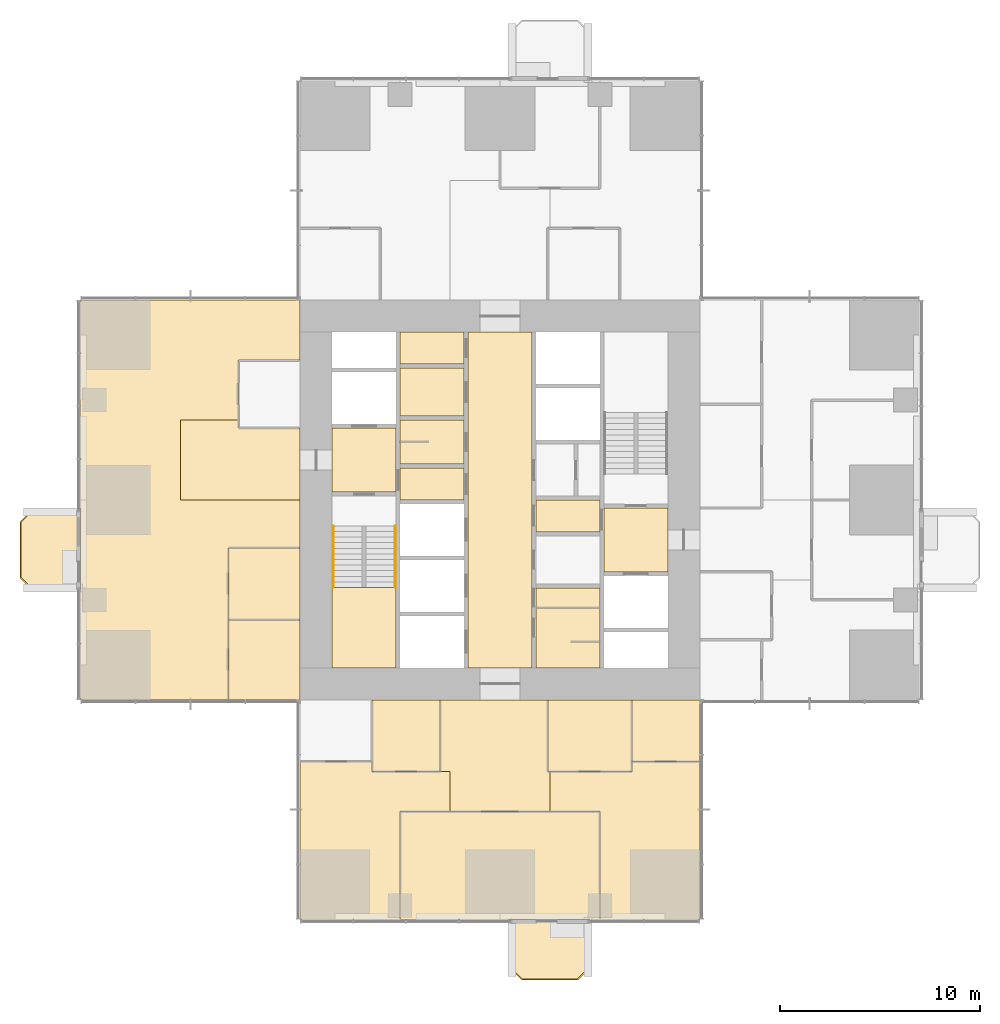
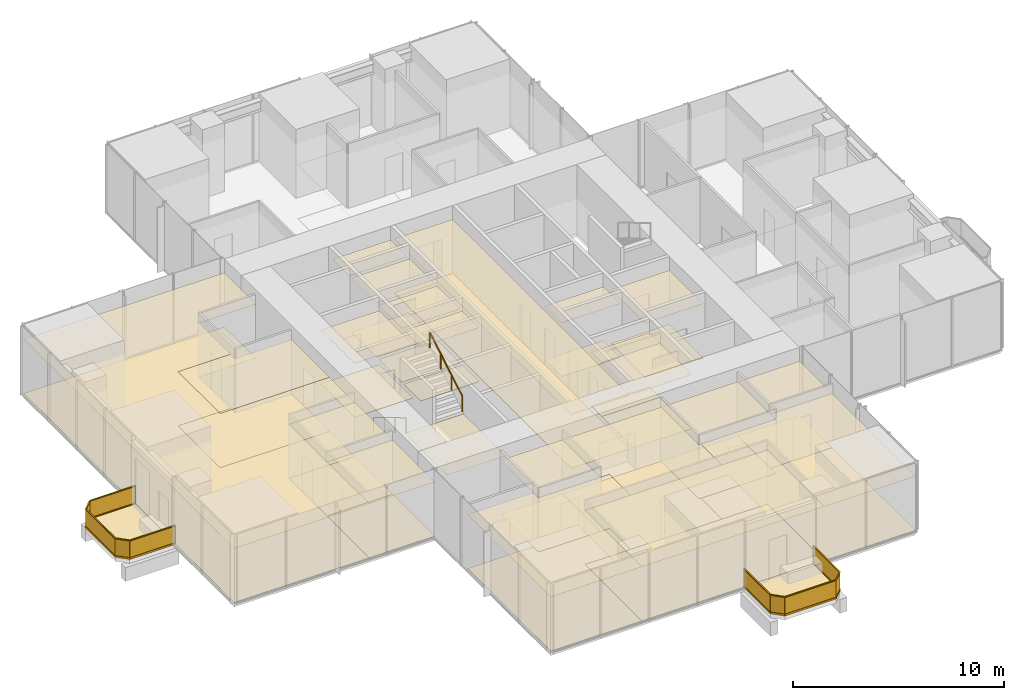
# One storey, part 11 of 13: 44 coverings, 4 railings.
"""IFC4 building model written with IfcOpenShell, lengths in metres."""

import ifcopenshell
import ifcopenshell.guid

model = None  # the IFC model being written
_history = None  # IfcOwnerHistory: only IFC2X3 demands one
_inside = {}  # id of a spatial element -> (the spatial element, [elements in it])
_under = {}  # id of a project, library or spatial element -> (it, [spatial elements below it])
_declared = {}  # id of a project -> (the project, [libraries it declares])
_typed = {}  # id of a type object -> (the type object, [elements of that type])
_made_of = {}  # id of a material, layer set ... -> (it, [elements and type objects made of it])


def new_model(schema):
    """Start an empty IFC model of exactly this schema.

    Asked for "IFC4X3", IfcOpenShell would pick the latest addendum, in which some entities
    have other attributes; the version numbers below select the first issue.
    IFC2X3 requires an IfcOwnerHistory on every rooted entity: one is made here for all.
    """
    global model, _history
    if schema == "IFC4X3":
        model = ifcopenshell.file(schema_version=(4, 3, 0, 0))
    else:
        model = ifcopenshell.file(schema=schema)
    _inside.clear()
    _under.clear()
    _declared.clear()
    _typed.clear()
    _made_of.clear()
    _history = None
    if model.schema == "IFC2X3":
        org = make("IfcOrganization", Name="unknown")
        user = make(
            "IfcPersonAndOrganization",
            ThePerson=make("IfcPerson", FamilyName="unknown"),
            TheOrganization=org,
        )
        app = make(
            "IfcApplication",
            ApplicationDeveloper=org,
            Version="unknown",
            ApplicationFullName="unknown",
            ApplicationIdentifier="unknown",
        )
        _history = make(
            "IfcOwnerHistory",
            OwningUser=user,
            OwningApplication=app,
            ChangeAction="ADDED",
            CreationDate=0,
        )
    return model


def make(cls, **values):
    """One entity of the class cls with the attributes given. An attribute that is None is left unset."""
    return model.create_entity(
        cls, **{name: value for name, value in values.items() if value is not None}
    )


def rooted(cls, **values):
    """An entity with a GlobalId (a new one), such as an element, a storey or a relation."""
    return make(cls, GlobalId=ifcopenshell.guid.new(), OwnerHistory=_history, **values)


def si_unit(unit_type, name, prefix=None):
    """IfcSIUnit, for example si_unit("LENGTHUNIT", "METRE", prefix="MILLI")."""
    return make("IfcSIUnit", UnitType=unit_type, Prefix=prefix, Name=name)


def assignment(units):
    """IfcUnitAssignment: the units of a project."""
    return None if units is None else make("IfcUnitAssignment", Units=units)


def point(xyz):
    """IfcCartesianPoint."""
    return None if xyz is None else make("IfcCartesianPoint", Coordinates=xyz)


def direction(xyz):
    """IfcDirection."""
    return None if xyz is None else make("IfcDirection", DirectionRatios=xyz)


def frame(location, z_axis=None, x_axis=None):
    """IfcAxis2Placement3D, a coordinate frame: its origin and axes. An axis left out is left unset."""
    return make(
        "IfcAxis2Placement3D",
        Location=point(location),
        Axis=direction(z_axis),
        RefDirection=direction(x_axis),
    )


def frame_2d(location, x_axis=None):
    """IfcAxis2Placement2D, a coordinate frame in the plane: its origin and x axis."""
    return make(
        "IfcAxis2Placement2D", Location=point(location), RefDirection=direction(x_axis)
    )


def origin():
    """The frame at (0, 0, 0) with its axes left unset."""
    return frame((0.0, 0.0, 0.0))


def origin_2d():
    """The frame at (0, 0) in the plane with its x axis left unset."""
    return frame_2d((0.0, 0.0))


def place(relative_to, where):
    """IfcLocalPlacement: puts the frame where relative to a parent placement (None: the world)."""
    return make(
        "IfcLocalPlacement", PlacementRelTo=relative_to, RelativePlacement=where
    )


def context(
    kind, dimensions, precision=None, world=None, true_north=None, identifier=None
):
    """IfcGeometricRepresentationContext, for example the 3D "Model" context."""
    return make(
        "IfcGeometricRepresentationContext",
        ContextIdentifier=identifier,
        ContextType=kind,
        CoordinateSpaceDimension=dimensions,
        Precision=precision,
        WorldCoordinateSystem=world,
        TrueNorth=true_north,
    )


def subcontext(parent, identifier, kind, view, scale=None):
    """IfcGeometricRepresentationSubContext, for example "Body" below "Model"."""
    return make(
        "IfcGeometricRepresentationSubContext",
        ContextIdentifier=identifier,
        ContextType=kind,
        ParentContext=parent,
        TargetScale=scale,
        TargetView=view,
    )


def project(units=None, contexts=None):
    """IfcProject with its units and contexts."""
    return rooted(
        "IfcProject",
        Name="project",
        RepresentationContexts=contexts,
        UnitsInContext=assignment(units),
    )


def spatial(cls, under=None, at=None, **own):
    """A site, building, storey or space (cls), placed at a placement, below another one or the project."""
    s = rooted(cls, ObjectPlacement=at, **own)
    if under is not None:
        _under.setdefault(under.id(), (under, []))[1].append(s)
    return s


def polyline(points):
    """IfcPolyline through the points."""
    return make("IfcPolyline", Points=[point(p) for p in points])


def profile(cls, at=None, kind="AREA", **sizes):
    """A parametric profile (cls). Its sizes go by their IFC names, for example OverallWidth=200.0."""
    return make(cls, ProfileType=kind, Position=at, **sizes)


def rectangle(**sizes):
    """IfcRectangleProfileDef."""
    return profile("IfcRectangleProfileDef", **sizes)


def circle(**sizes):
    """IfcCircleProfileDef."""
    return profile("IfcCircleProfileDef", **sizes)


def outline(outer, holes=None, kind="AREA"):
    """IfcArbitraryClosedProfileDef: a profile drawn as a closed curve; with holes, ...WithVoids."""
    if holes is None:
        return make("IfcArbitraryClosedProfileDef", ProfileType=kind, OuterCurve=outer)
    return make(
        "IfcArbitraryProfileDefWithVoids",
        ProfileType=kind,
        OuterCurve=outer,
        InnerCurves=holes,
    )


def extrude(swept, where, along, depth):
    """IfcExtrudedAreaSolid: the profile swept, set in the frame where, extruded along a direction by depth."""
    return make(
        "IfcExtrudedAreaSolid",
        SweptArea=swept,
        Position=where,
        ExtrudedDirection=direction(along),
        Depth=depth,
    )


def shape(context_of_items, identifier, shape_type, items):
    """IfcShapeRepresentation: the items that make up one representation, for example the "Body"."""
    return make(
        "IfcShapeRepresentation",
        ContextOfItems=context_of_items,
        RepresentationIdentifier=identifier,
        RepresentationType=shape_type,
        Items=items,
    )


def material(Name=None, Category=None):
    """IfcMaterial."""
    return make("IfcMaterial", Name=Name, Category=Category)


def layer(
    of_material, thickness, ventilated=None, Name=None, Category=None, Priority=None
):
    """IfcMaterialLayer: one layer of a wall or slab, of a material (None: an air gap)."""
    return make(
        "IfcMaterialLayer",
        Material=of_material,
        LayerThickness=thickness,
        IsVentilated=ventilated,
        Name=Name,
        Category=Category,
        Priority=Priority,
    )


def layer_set(layers, Name=None):
    """IfcMaterialLayerSet."""
    return make("IfcMaterialLayerSet", MaterialLayers=layers, LayerSetName=Name)


def made_of(thing, what):
    """Note that an element or type object is made of a material, layer set ...; save() writes the relation."""
    if what is not None:
        _made_of.setdefault(what.id(), (what, []))[1].append(thing)
    return thing


def type_object(cls, material=None, **own):
    """A type object (cls), such as IfcWallType, which elements share."""
    return made_of(rooted(cls, **own), material)


def element(
    cls,
    number,
    at=None,
    inside=None,
    cuts=None,
    type_object=None,
    material=None,
    context=None,
    identifier="Body",
    shape_type=None,
    held_by="IfcProductDefinitionShape",
    body=None,
    shapes=None,
    **own,
):
    """One element of the class cls, such as IfcWall. Its Tag is "e" and its number.

    at: its placement. inside: the storey or other place that contains it. cuts: it is an
    opening in that element (IfcRelVoidsElement). A single representation is given by context,
    identifier, shape_type and body (its items); several are given by shapes. held_by: the class
    of the entity that holds the representations. save() writes the other relations.
    """
    e = rooted(cls, Tag="e%d" % number, ObjectPlacement=at, **own)
    if body is not None:
        shapes = [shape(context, identifier, shape_type, body)]
    if shapes is not None:
        e.Representation = make(held_by, Representations=shapes)
    if inside is not None:
        _inside.setdefault(inside.id(), (inside, []))[1].append(e)
    if cuts is not None:
        rooted(
            "IfcRelVoidsElement", RelatingBuildingElement=cuts, RelatedOpeningElement=e
        )
    if type_object is not None:
        _typed.setdefault(type_object.id(), (type_object, []))[1].append(e)
    return made_of(e, material)


def aggregate(whole, parts):
    """IfcRelAggregates: a whole, such as a stair, and the parts it consists of."""
    return rooted("IfcRelAggregates", RelatingObject=whole, RelatedObjects=parts)


def save(model, path):
    """Write the relations noted so far, then the file.

    IfcRelAggregates (storeys below a building ...), IfcRelContainedInSpatialStructure (elements
    in a storey), IfcRelDefinesByType, IfcRelAssociatesMaterial and IfcRelDeclares: one each for
    every whole, place, type object, material and project.
    """
    for whole, parts in _under.values():
        aggregate(whole, parts)
    for where, things in _inside.values():
        rooted(
            "IfcRelContainedInSpatialStructure",
            RelatedElements=things,
            RelatingStructure=where,
        )
    for kind, things in _typed.values():
        rooted("IfcRelDefinesByType", RelatedObjects=things, RelatingType=kind)
    for what, things in _made_of.values():
        rooted("IfcRelAssociatesMaterial", RelatedObjects=things, RelatingMaterial=what)
    for by, libraries in _declared.values():
        rooted("IfcRelDeclares", RelatingContext=by, RelatedDefinitions=libraries)
    model.write(path)


model = new_model("IFC4")

# Units and contexts
model_context = context("Model", 3, precision=1e-05, world=origin(), true_north=direction((0.0, 1.0)))
body_context = subcontext(model_context, "Body", "Model", "MODEL_VIEW")
ifc_project = project(units=[si_unit("LENGTHUNIT", "METRE"), si_unit("AREAUNIT", "SQUARE_METRE"), si_unit("VOLUMEUNIT", "CUBIC_METRE"), si_unit("PLANEANGLEUNIT", "RADIAN"), si_unit("MASSUNIT", "GRAM", prefix="KILO")], contexts=[model_context])

# Site, building, storey
site_placement = place(None, origin())
site = spatial("IfcSite", under=ifc_project, at=site_placement, CompositionType="ELEMENT")
building_placement = place(site_placement, origin())
building = spatial("IfcBuilding", under=site, at=building_placement, Name="Svetlomir Tower", CompositionType="ELEMENT")
storey_placement = place(building_placement, frame((0.0, 0.0, 96.5)))
storey = spatial("IfcBuildingStorey", under=building, at=storey_placement, Name="L22", CompositionType="ELEMENT", Elevation=96.5)

# Railings
ifc_material_1 = material(Name="Bronze anodised aluminium and laminated glass", Category="aluminium")
railing_type_1 = type_object("IfcRailingType", Name="BALCONY GUARD GR1 1100", PredefinedType="GUARDRAIL", material=ifc_material_1)
railing_1_placement = place(storey_placement, frame((21.60009765625, 0.0, 0.0)))
element("IfcRailing", 1, at=railing_1_placement, inside=storey, type_object=railing_type_1, Name="Balcony guard S L22", PredefinedType="GUARDRAIL", context=body_context, shape_type="SweptSolid", body=[
    extrude(rectangle(XDim=0.06005859375, YDim=0.10009765625, at=origin_2d()), frame((0.0, 0.0, 0.050048828125), z_axis=(0.0, -1.0, 0.0), x_axis=(1.0, 0.0, 0.0)), (0.0, 0.0, 1.0), 2.5),
    extrude(rectangle(XDim=0.021484375, YDim=0.960205078125, at=origin_2d()), frame((0.0, 0.0, 0.580078125), z_axis=(0.0, -1.0, 0.0), x_axis=(1.0, 0.0, 0.0)), (0.0, 0.0, 1.0), 2.5),
    extrude(rectangle(XDim=0.06005859375, YDim=0.0400390625, at=origin_2d()), frame((0.0, 0.0, 1.080078125), z_axis=(0.0, -1.0, 0.0), x_axis=(1.0, 0.0, 0.0)), (0.0, 0.0, 1.0), 2.5),
    extrude(rectangle(XDim=0.06005859375, YDim=0.10009765625, at=origin_2d()), frame((0.0, -2.5, 0.050048828125), z_axis=(0.707106781187, -0.707106781187, 0.0), x_axis=(0.707106781187, 0.707106781187, 0.0)), (0.0, 0.0, 1.0), 0.70703125),
    extrude(rectangle(XDim=0.021484375, YDim=0.960205078125, at=origin_2d()), frame((0.0, -2.5, 0.580078125), z_axis=(0.707106781187, -0.707106781187, 0.0), x_axis=(0.707106781187, 0.707106781187, 0.0)), (0.0, 0.0, 1.0), 0.70703125),
    extrude(rectangle(XDim=0.06005859375, YDim=0.0400390625, at=origin_2d()), frame((0.0, -2.5, 1.080078125), z_axis=(0.707106781187, -0.707106781187, 0.0), x_axis=(0.707106781187, 0.707106781187, 0.0)), (0.0, 0.0, 1.0), 0.70703125),
    extrude(rectangle(XDim=0.06005859375, YDim=0.10009765625, at=origin_2d()), frame((0.5, -3.0, 0.050048828125), z_axis=(1.0, 0.0, 0.0), x_axis=(0.0, 1.0, 0.0)), (0.0, 0.0, 1.0), 2.7998046875),
    extrude(rectangle(XDim=0.021484375, YDim=0.960205078125, at=origin_2d()), frame((0.5, -3.0, 0.580078125), z_axis=(1.0, 0.0, 0.0), x_axis=(0.0, 1.0, 0.0)), (0.0, 0.0, 1.0), 2.7998046875),
    extrude(rectangle(XDim=0.06005859375, YDim=0.0400390625, at=origin_2d()), frame((0.5, -3.0, 1.080078125), z_axis=(1.0, 0.0, 0.0), x_axis=(0.0, 1.0, 0.0)), (0.0, 0.0, 1.0), 2.7998046875),
    extrude(rectangle(XDim=0.06005859375, YDim=0.10009765625, at=origin_2d()), frame((3.2998046875, -3.0, 0.050048828125), z_axis=(0.707106781187, 0.707106781187, 0.0), x_axis=(-0.707106781187, 0.707106781187, 0.0)), (0.0, 0.0, 1.0), 0.70703125),
    extrude(rectangle(XDim=0.021484375, YDim=0.960205078125, at=origin_2d()), frame((3.2998046875, -3.0, 0.580078125), z_axis=(0.707106781187, 0.707106781187, 0.0), x_axis=(-0.707106781187, 0.707106781187, 0.0)), (0.0, 0.0, 1.0), 0.70703125),
    extrude(rectangle(XDim=0.06005859375, YDim=0.0400390625, at=origin_2d()), frame((3.2998046875, -3.0, 1.080078125), z_axis=(0.707106781187, 0.707106781187, 0.0), x_axis=(-0.707106781187, 0.707106781187, 0.0)), (0.0, 0.0, 1.0), 0.70703125),
    extrude(rectangle(XDim=0.06005859375, YDim=0.10009765625, at=origin_2d()), frame((3.7998046875, -2.5, 0.050048828125), z_axis=(0.0, 1.0, 0.0), x_axis=(-1.0, 0.0, 0.0)), (0.0, 0.0, 1.0), 2.5),
    extrude(rectangle(XDim=0.021484375, YDim=0.960205078125, at=origin_2d()), frame((3.7998046875, -2.5, 0.580078125), z_axis=(0.0, 1.0, 0.0), x_axis=(-1.0, 0.0, 0.0)), (0.0, 0.0, 1.0), 2.5),
    extrude(rectangle(XDim=0.06005859375, YDim=0.0400390625, at=origin_2d()), frame((3.7998046875, -2.5, 1.080078125), z_axis=(0.0, 1.0, 0.0), x_axis=(-1.0, 0.0, 0.0)), (0.0, 0.0, 1.0), 2.5),
])
railing_2_placement = place(storey_placement, frame((0.0, 20.39990234375, 0.0)))
element("IfcRailing", 2, at=railing_2_placement, inside=storey, type_object=railing_type_1, Name="Balcony guard W L22", PredefinedType="GUARDRAIL", context=body_context, shape_type="SweptSolid", body=[
    extrude(rectangle(XDim=0.06005859375, YDim=0.10009765625, at=origin_2d()), frame((0.0, 0.0, 0.050048828125), z_axis=(-1.0, 0.0, 0.0), x_axis=(0.0, -1.0, 0.0)), (0.0, 0.0, 1.0), 2.5),
    extrude(rectangle(XDim=0.021484375, YDim=0.960205078125, at=origin_2d()), frame((0.0, 0.0, 0.580078125), z_axis=(-1.0, 0.0, 0.0), x_axis=(0.0, -1.0, 0.0)), (0.0, 0.0, 1.0), 2.5),
    extrude(rectangle(XDim=0.06005859375, YDim=0.0400390625, at=origin_2d()), frame((0.0, 0.0, 1.080078125), z_axis=(-1.0, 0.0, 0.0), x_axis=(0.0, -1.0, 0.0)), (0.0, 0.0, 1.0), 2.5),
    extrude(rectangle(XDim=0.06005859375, YDim=0.10009765625, at=origin_2d()), frame((-2.5, 0.0, 0.050048828125), z_axis=(-0.707106781187, -0.707106781187, 0.0), x_axis=(0.707106781187, -0.707106781187, 0.0)), (0.0, 0.0, 1.0), 0.70703125),
    extrude(rectangle(XDim=0.021484375, YDim=0.960205078125, at=origin_2d()), frame((-2.5, 0.0, 0.580078125), z_axis=(-0.707106781187, -0.707106781187, 0.0), x_axis=(0.707106781187, -0.707106781187, 0.0)), (0.0, 0.0, 1.0), 0.70703125),
    extrude(rectangle(XDim=0.06005859375, YDim=0.0400390625, at=origin_2d()), frame((-2.5, 0.0, 1.080078125), z_axis=(-0.707106781187, -0.707106781187, 0.0), x_axis=(0.707106781187, -0.707106781187, 0.0)), (0.0, 0.0, 1.0), 0.70703125),
    extrude(rectangle(XDim=0.06005859375, YDim=0.10009765625, at=origin_2d()), frame((-3.0, -0.5, 0.050048828125), z_axis=(0.0, -1.0, 0.0), x_axis=(1.0, 0.0, 0.0)), (0.0, 0.0, 1.0), 2.7998046875),
    extrude(rectangle(XDim=0.021484375, YDim=0.960205078125, at=origin_2d()), frame((-3.0, -0.5, 0.580078125), z_axis=(0.0, -1.0, 0.0), x_axis=(1.0, 0.0, 0.0)), (0.0, 0.0, 1.0), 2.7998046875),
    extrude(rectangle(XDim=0.06005859375, YDim=0.0400390625, at=origin_2d()), frame((-3.0, -0.5, 1.080078125), z_axis=(0.0, -1.0, 0.0), x_axis=(1.0, 0.0, 0.0)), (0.0, 0.0, 1.0), 2.7998046875),
    extrude(rectangle(XDim=0.06005859375, YDim=0.10009765625, at=origin_2d()), frame((-3.0, -3.2998046875, 0.050048828125), z_axis=(0.707106781187, -0.707106781187, 0.0), x_axis=(0.707106781187, 0.707106781187, 0.0)), (0.0, 0.0, 1.0), 0.70703125),
    extrude(rectangle(XDim=0.021484375, YDim=0.960205078125, at=origin_2d()), frame((-3.0, -3.2998046875, 0.580078125), z_axis=(0.707106781187, -0.707106781187, 0.0), x_axis=(0.707106781187, 0.707106781187, 0.0)), (0.0, 0.0, 1.0), 0.70703125),
    extrude(rectangle(XDim=0.06005859375, YDim=0.0400390625, at=origin_2d()), frame((-3.0, -3.2998046875, 1.080078125), z_axis=(0.707106781187, -0.707106781187, 0.0), x_axis=(0.707106781187, 0.707106781187, 0.0)), (0.0, 0.0, 1.0), 0.70703125),
    extrude(rectangle(XDim=0.06005859375, YDim=0.10009765625, at=origin_2d()), frame((-2.5, -3.7998046875, 0.050048828125), z_axis=(1.0, 0.0, 0.0), x_axis=(0.0, 1.0, 0.0)), (0.0, 0.0, 1.0), 2.5),
    extrude(rectangle(XDim=0.021484375, YDim=0.960205078125, at=origin_2d()), frame((-2.5, -3.7998046875, 0.580078125), z_axis=(1.0, 0.0, 0.0), x_axis=(0.0, 1.0, 0.0)), (0.0, 0.0, 1.0), 2.5),
    extrude(rectangle(XDim=0.06005859375, YDim=0.0400390625, at=origin_2d()), frame((-2.5, -3.7998046875, 1.080078125), z_axis=(1.0, 0.0, 0.0), x_axis=(0.0, 1.0, 0.0)), (0.0, 0.0, 1.0), 2.5),
])

# Coverings
ifc_material_2 = material(Name="Granite paving slabs on pedestals", Category="masonry")
ifc_layer_1 = layer(ifc_material_2, 0.0400390625)
ifc_layer_set_1 = layer_set([ifc_layer_1], Name="Granite paving slabs on pedestals")
covering_type_1 = type_object("IfcCoveringType", Name="BALCONY PAVING 40", PredefinedType="USERDEFINED", material=ifc_layer_set_1)
covering_1_placement = place(storey_placement, origin())
element("IfcCovering", 3, at=covering_1_placement, inside=storey, type_object=covering_type_1, Name="Balcony paving S L22", ObjectType="BALCONY PAVING", PredefinedType="USERDEFINED", context=body_context, shape_type="SweptSolid", body=[
    extrude(outline(polyline([(21.60009765625, -2.5), (22.10009765625, -3.0), (24.89990234375, -3.0), (25.39990234375, -2.5), (25.39990234375, 0.0), (21.60009765625, 0.0), (21.60009765625, -2.5)])), origin(), (0.0, 0.0, 1.0), 0.0400390625),
])
covering_2_placement = place(storey_placement, origin())
element("IfcCovering", 4, at=covering_2_placement, inside=storey, type_object=covering_type_1, Name="Balcony paving W L22", ObjectType="BALCONY PAVING", PredefinedType="USERDEFINED", context=body_context, shape_type="SweptSolid", body=[
    extrude(outline(polyline([(-2.5, 16.60009765625), (0.0, 16.60009765625), (0.0, 20.39990234375), (-2.5, 20.39990234375), (-3.0, 19.89990234375), (-3.0, 17.10009765625), (-2.5, 16.60009765625)])), origin(), (0.0, 0.0, 1.0), 0.0400390625),
])
ifc_material_3 = material(Name="Carpet tile", Category="textile")
ifc_layer_2 = layer(ifc_material_3, 0.010009765625)
ifc_layer_set_2 = layer_set([ifc_layer_2], Name="Carpet tile")
covering_type_2 = type_object("IfcCoveringType", Name="CARPET TILE FLOOR 10", PredefinedType="FLOORING", material=ifc_layer_set_2)
covering_3_placement = place(storey_placement, origin())
element("IfcCovering", 5, at=covering_3_placement, inside=storey, type_object=covering_type_2, Name="Floor finish L22-17", PredefinedType="FLOORING", context=body_context, shape_type="SweptSolid", body=[
    extrude(outline(polyline([(14.60009765625, 7.39990234375), (18.0, 7.39990234375), (18.0, 11.0), (14.60009765625, 11.0), (14.60009765625, 7.39990234375)])), origin(), (0.0, 0.0, 1.0), 0.010009765625),
])
covering_4_placement = place(storey_placement, origin())
element("IfcCovering", 6, at=covering_4_placement, inside=storey, type_object=covering_type_2, Name="Floor finish L22-18", PredefinedType="FLOORING", context=body_context, shape_type="SweptSolid", body=[
    extrude(outline(polyline([(23.39990234375, 7.39990234375), (27.60009765625, 7.39990234375), (27.60009765625, 11.0), (23.39990234375, 11.0), (23.39990234375, 7.39990234375)])), origin(), (0.0, 0.0, 1.0), 0.010009765625),
])
covering_5_placement = place(storey_placement, origin())
element("IfcCovering", 7, at=covering_5_placement, inside=storey, type_object=covering_type_2, Name="Floor finish L22-19", PredefinedType="FLOORING", context=body_context, shape_type="SweptSolid", body=[
    extrude(outline(polyline([(27.60009765625, 7.89990234375), (31.0, 7.89990234375), (31.0, 11.0), (27.60009765625, 11.0), (27.60009765625, 7.89990234375)])), origin(), (0.0, 0.0, 1.0), 0.010009765625),
])
covering_6_placement = place(storey_placement, origin())
element("IfcCovering", 8, at=covering_6_placement, inside=storey, type_object=covering_type_2, Name="Floor finish L22-20", PredefinedType="FLOORING", context=body_context, shape_type="SweptSolid", body=[
    extrude(outline(polyline([(16.0, 0.0), (26.0, 0.0), (26.0, 5.39990234375), (16.0, 5.39990234375), (16.0, 0.0)])), origin(), (0.0, 0.0, 1.0), 0.010009765625),
])
covering_7_placement = place(storey_placement, origin())
element("IfcCovering", 9, at=covering_7_placement, inside=storey, type_object=covering_type_2, Name="Floor finish L22-30", PredefinedType="FLOORING", context=body_context, shape_type="SweptSolid", body=[
    extrude(outline(polyline([(7.39990234375, 11.0), (11.0, 11.0), (11.0, 15.0), (7.39990234375, 15.0), (7.39990234375, 11.0)])), origin(), (0.0, 0.0, 1.0), 0.010009765625),
])
covering_8_placement = place(storey_placement, origin())
element("IfcCovering", 10, at=covering_8_placement, inside=storey, type_object=covering_type_2, Name="Floor finish L22-31", PredefinedType="FLOORING", context=body_context, shape_type="SweptSolid", body=[
    extrude(outline(polyline([(7.39990234375, 15.0), (11.0, 15.0), (11.0, 18.60009765625), (7.39990234375, 18.60009765625), (7.39990234375, 15.0)])), origin(), (0.0, 0.0, 1.0), 0.010009765625),
])
covering_9_placement = place(storey_placement, origin())
element("IfcCovering", 11, at=covering_9_placement, inside=storey, type_object=covering_type_2, Name="Floor finish L22-33", PredefinedType="FLOORING", context=body_context, shape_type="SweptSolid", body=[
    extrude(outline(polyline([(23.5, 7.39990234375), (23.5, 5.39990234375), (18.5, 5.39990234375), (18.5, 7.39990234375), (18.0, 7.39990234375), (18.0, 11.0), (23.39990234375, 11.0), (23.39990234375, 7.39990234375), (23.5, 7.39990234375)])), origin(), (0.0, 0.0, 1.0), 0.010009765625),
])
covering_10_placement = place(storey_placement, origin())
element("IfcCovering", 12, at=covering_10_placement, inside=storey, type_object=covering_type_2, Name="Floor finish L22-35", PredefinedType="FLOORING", context=body_context, shape_type="SweptSolid", body=[
    extrude(outline(polyline([(5.0, 21.0), (5.0, 25.0), (7.89990234375, 25.0), (7.89990234375, 24.60009765625), (11.0, 24.60009765625), (11.0, 21.0), (5.0, 21.0)])), origin(), (0.0, 0.0, 1.0), 0.010009765625),
])
covering_11_placement = place(storey_placement, origin())
element("IfcCovering", 13, at=covering_11_placement, inside=storey, type_object=covering_type_2, Name="Floor finish L22-37", PredefinedType="FLOORING", context=body_context, shape_type="SweptSolid", body=[
    extrude(outline(polyline([(14.60009765625, 7.89990234375), (14.60009765625, 7.39990234375), (18.5, 7.39990234375), (18.5, 5.39990234375), (16.0, 5.39990234375), (16.0, 0.0), (11.0, 0.0), (11.0, 7.89990234375), (14.60009765625, 7.89990234375)])), origin(), (0.0, 0.0, 1.0), 0.010009765625),
])
covering_12_placement = place(storey_placement, origin())
element("IfcCovering", 14, at=covering_12_placement, inside=storey, type_object=covering_type_2, Name="Floor finish L22-38", PredefinedType="FLOORING", context=body_context, shape_type="SweptSolid", body=[
    extrude(outline(polyline([(27.60009765625, 7.89990234375), (31.0, 7.89990234375), (31.0, 0.0), (26.0, 0.0), (26.0, 5.39990234375), (23.5, 5.39990234375), (23.5, 7.39990234375), (27.60009765625, 7.39990234375), (27.60009765625, 7.89990234375)])), origin(), (0.0, 0.0, 1.0), 0.010009765625),
])
covering_13_placement = place(storey_placement, origin())
element("IfcCovering", 15, at=covering_13_placement, inside=storey, type_object=covering_type_2, Name="Floor finish L22-43", PredefinedType="FLOORING", context=body_context, shape_type="SweptSolid", body=[
    extrude(outline(polyline([(11.0, 31.0), (11.0, 28.0), (7.89990234375, 28.0), (7.89990234375, 25.0), (5.0, 25.0), (5.0, 21.0), (11.0, 21.0), (11.0, 18.60009765625), (7.39990234375, 18.60009765625), (7.39990234375, 11.0), (0.0, 11.0), (0.0, 31.0), (11.0, 31.0)])), origin(), (0.0, 0.0, 1.0), 0.010009765625),
])
ifc_material_4 = material(Name="Ceramic floor tile", Category="ceramic")
ifc_layer_3 = layer(ifc_material_4, 0.014892578125)
ifc_layer_set_3 = layer_set([ifc_layer_3], Name="Ceramic floor tile")
covering_type_3 = type_object("IfcCoveringType", Name="CERAMIC TILE FLOOR 15", PredefinedType="FLOORING", material=ifc_layer_set_3)
covering_14_placement = place(storey_placement, origin())
element("IfcCovering", 16, at=covering_14_placement, inside=storey, type_object=covering_type_3, Name="Floor finish L22-04", PredefinedType="FLOORING", context=body_context, shape_type="SweptSolid", body=[
    extrude(outline(polyline([(16.0, 22.800048828125), (19.199951171875, 22.800048828125), (19.199951171875, 25.0), (16.0, 25.0), (16.0, 22.800048828125)])), origin(), (0.0, 0.0, 1.0), 0.014892578125),
])
covering_15_placement = place(storey_placement, origin())
element("IfcCovering", 17, at=covering_15_placement, inside=storey, type_object=covering_type_3, Name="Floor finish L22-05", PredefinedType="FLOORING", context=body_context, shape_type="SweptSolid", body=[
    extrude(outline(polyline([(16.0, 25.199951171875), (19.199951171875, 25.199951171875), (19.199951171875, 27.60009765625), (16.0, 27.60009765625), (16.0, 25.199951171875)])), origin(), (0.0, 0.0, 1.0), 0.014892578125),
])
covering_16_placement = place(storey_placement, origin())
element("IfcCovering", 18, at=covering_16_placement, inside=storey, type_object=covering_type_3, Name="Floor finish L22-08", PredefinedType="FLOORING", context=body_context, shape_type="SweptSolid", body=[
    extrude(outline(polyline([(22.800048828125, 15.60009765625), (26.0, 15.60009765625), (26.0, 16.60009765625), (22.800048828125, 16.60009765625), (22.800048828125, 15.60009765625)])), origin(), (0.0, 0.0, 1.0), 0.014892578125),
])
covering_17_placement = place(storey_placement, origin())
element("IfcCovering", 19, at=covering_17_placement, inside=storey, type_object=covering_type_3, Name="Floor finish L22-09", PredefinedType="FLOORING", context=body_context, shape_type="SweptSolid", body=[
    extrude(outline(polyline([(22.800048828125, 12.60009765625), (26.0, 12.60009765625), (26.0, 15.60009765625), (22.800048828125, 15.60009765625), (22.800048828125, 12.60009765625)])), origin(), (0.0, 0.0, 1.0), 0.014892578125),
])

# Railings
ifc_material_5 = material(Name="Stainless steel", Category="steel")
railing_type_2 = type_object("IfcRailingType", Name="HANDRAIL HR1 900", PredefinedType="HANDRAIL", material=ifc_material_5)
railing_3_placement = place(storey_placement, frame((12.64990234375, 19.699951171875, 0.166748046875)))
element("IfcRailing", 20, at=railing_3_placement, inside=storey, type_object=railing_type_2, Name="Handrail S1 flight 1 L22", PredefinedType="HANDRAIL", context=body_context, shape_type="SweptSolid", body=[
    extrude(circle(Radius=0.02392578125, at=origin_2d()), frame((0.0, 0.0, 0.8759765625), z_axis=(0.0, -0.859290745958, 0.51148745235), x_axis=(1.0, 0.0, 0.0)), (0.0, 0.0, 1.0), 3.584228515625),
    extrude(circle(Radius=0.02099609375, at=origin_2d()), origin(), (0.0, 0.0, 1.0), 0.851806640625),
    extrude(circle(Radius=0.02099609375, at=origin_2d()), frame((0.0, -1.026611328125, 0.611083984375)), (0.0, 0.0, 1.0), 0.851806640625),
    extrude(circle(Radius=0.02099609375, at=origin_2d()), frame((0.0, -2.05322265625, 1.22216796875)), (0.0, 0.0, 1.0), 0.851806640625),
    extrude(circle(Radius=0.02099609375, at=origin_2d()), frame((0.0, -3.079833984375, 1.833251953125)), (0.0, 0.0, 1.0), 0.851806640625),
])
railing_4_placement = place(storey_placement, frame((15.75, 16.6201171875, 2.166748046875)))
element("IfcRailing", 21, at=railing_4_placement, inside=storey, type_object=railing_type_2, Name="Handrail S1 flight 2 L22", PredefinedType="HANDRAIL", context=body_context, shape_type="SweptSolid", body=[
    extrude(circle(Radius=0.02392578125, at=origin_2d()), frame((0.0, 0.0, 0.8759765625), z_axis=(0.0, 0.859290745958, 0.51148745235), x_axis=(-1.0, 0.0, 0.0)), (0.0, 0.0, 1.0), 3.584228515625),
    extrude(circle(Radius=0.02099609375, at=origin_2d()), origin(), (0.0, 0.0, 1.0), 0.851806640625),
    extrude(circle(Radius=0.02099609375, at=origin_2d()), frame((0.0, 1.026611328125, 0.611083984375)), (0.0, 0.0, 1.0), 0.851806640625),
    extrude(circle(Radius=0.02099609375, at=origin_2d()), frame((0.0, 2.05322265625, 1.22216796875)), (0.0, 0.0, 1.0), 0.851806640625),
    extrude(circle(Radius=0.02099609375, at=origin_2d()), frame((0.0, 3.079833984375, 1.833251953125)), (0.0, 0.0, 1.0), 0.851806640625),
])

# Coverings
ifc_material_6 = material(Name="Moisture resistant plasterboard ceiling", Category="gypsum")
ifc_layer_4 = layer(ifc_material_6, 0.012451171875)
ifc_layer_set_4 = layer_set([ifc_layer_4], Name="Moisture resistant plasterboard ceiling")
covering_type_4 = type_object("IfcCoveringType", Name="MOISTURE RESISTANT CEILING 12.5", PredefinedType="CEILING", material=ifc_layer_set_4)
covering_18_placement = place(storey_placement, frame((0.0, 0.0, 3.137451171875)))
element("IfcCovering", 22, at=covering_18_placement, inside=storey, type_object=covering_type_4, Name="Ceiling L22-04", PredefinedType="CEILING", context=body_context, shape_type="SweptSolid", body=[
    extrude(outline(polyline([(16.0, 22.800048828125), (19.199951171875, 22.800048828125), (19.199951171875, 25.0), (16.0, 25.0), (16.0, 22.800048828125)])), origin(), (0.0, 0.0, 1.0), 0.012451171875),
])
covering_19_placement = place(storey_placement, frame((0.0, 0.0, 3.137451171875)))
element("IfcCovering", 23, at=covering_19_placement, inside=storey, type_object=covering_type_4, Name="Ceiling L22-05", PredefinedType="CEILING", context=body_context, shape_type="SweptSolid", body=[
    extrude(outline(polyline([(16.0, 25.199951171875), (19.199951171875, 25.199951171875), (19.199951171875, 27.60009765625), (16.0, 27.60009765625), (16.0, 25.199951171875)])), origin(), (0.0, 0.0, 1.0), 0.012451171875),
])
covering_20_placement = place(storey_placement, frame((0.0, 0.0, 3.137451171875)))
element("IfcCovering", 24, at=covering_20_placement, inside=storey, type_object=covering_type_4, Name="Ceiling L22-08", PredefinedType="CEILING", context=body_context, shape_type="SweptSolid", body=[
    extrude(outline(polyline([(22.800048828125, 15.60009765625), (26.0, 15.60009765625), (26.0, 16.60009765625), (22.800048828125, 16.60009765625), (22.800048828125, 15.60009765625)])), origin(), (0.0, 0.0, 1.0), 0.012451171875),
])
covering_21_placement = place(storey_placement, frame((0.0, 0.0, 3.137451171875)))
element("IfcCovering", 25, at=covering_21_placement, inside=storey, type_object=covering_type_4, Name="Ceiling L22-09", PredefinedType="CEILING", context=body_context, shape_type="SweptSolid", body=[
    extrude(outline(polyline([(22.800048828125, 12.60009765625), (26.0, 12.60009765625), (26.0, 15.60009765625), (22.800048828125, 15.60009765625), (22.800048828125, 12.60009765625)])), origin(), (0.0, 0.0, 1.0), 0.012451171875),
])
ifc_material_7 = material(Name="Gypsum plasterboard ceiling", Category="gypsum")
ifc_layer_5 = layer(ifc_material_7, 0.014892578125)
ifc_layer_set_5 = layer_set([ifc_layer_5], Name="Gypsum plasterboard ceiling")
covering_type_5 = type_object("IfcCoveringType", Name="PLASTERBOARD CEILING 15", PredefinedType="CEILING", material=ifc_layer_set_5)
covering_22_placement = place(storey_placement, frame((0.0, 0.0, 3.135009765625)))
element("IfcCovering", 26, at=covering_22_placement, inside=storey, type_object=covering_type_5, Name="Ceiling L22-02", PredefinedType="CEILING", context=body_context, shape_type="SweptSolid", body=[
    extrude(outline(polyline([(12.60009765625, 21.39990234375), (15.800048828125, 21.39990234375), (15.800048828125, 24.60009765625), (12.60009765625, 24.60009765625), (12.60009765625, 21.39990234375)])), origin(), (0.0, 0.0, 1.0), 0.014892578125),
])
covering_23_placement = place(storey_placement, frame((0.0, 0.0, 3.135009765625)))
element("IfcCovering", 27, at=covering_23_placement, inside=storey, type_object=covering_type_5, Name="Ceiling L22-03", PredefinedType="CEILING", context=body_context, shape_type="SweptSolid", body=[
    extrude(outline(polyline([(16.0, 21.0), (19.199951171875, 21.0), (19.199951171875, 22.60009765625), (16.0, 22.60009765625), (16.0, 21.0)])), origin(), (0.0, 0.0, 1.0), 0.014892578125),
])
covering_24_placement = place(storey_placement, frame((0.0, 0.0, 3.135009765625)))
element("IfcCovering", 28, at=covering_24_placement, inside=storey, type_object=covering_type_5, Name="Ceiling L22-06", PredefinedType="CEILING", context=body_context, shape_type="SweptSolid", body=[
    extrude(outline(polyline([(16.0, 27.800048828125), (19.199951171875, 27.800048828125), (19.199951171875, 29.39990234375), (16.0, 29.39990234375), (16.0, 27.800048828125)])), origin(), (0.0, 0.0, 1.0), 0.014892578125),
])
covering_25_placement = place(storey_placement, frame((0.0, 0.0, 3.135009765625)))
element("IfcCovering", 29, at=covering_25_placement, inside=storey, type_object=covering_type_5, Name="Ceiling L22-07", PredefinedType="CEILING", context=body_context, shape_type="SweptSolid", body=[
    extrude(outline(polyline([(19.39990234375, 12.60009765625), (22.60009765625, 12.60009765625), (22.60009765625, 29.39990234375), (19.39990234375, 29.39990234375), (19.39990234375, 12.60009765625)])), origin(), (0.0, 0.0, 1.0), 0.014892578125),
])
covering_26_placement = place(storey_placement, frame((0.0, 0.0, 3.135009765625)))
element("IfcCovering", 30, at=covering_26_placement, inside=storey, type_object=covering_type_5, Name="Ceiling L22-11", PredefinedType="CEILING", context=body_context, shape_type="SweptSolid", body=[
    extrude(outline(polyline([(22.800048828125, 19.39990234375), (26.0, 19.39990234375), (26.0, 21.0), (22.800048828125, 21.0), (22.800048828125, 19.39990234375)])), origin(), (0.0, 0.0, 1.0), 0.014892578125),
])
covering_27_placement = place(storey_placement, frame((0.0, 0.0, 3.135009765625)))
element("IfcCovering", 31, at=covering_27_placement, inside=storey, type_object=covering_type_5, Name="Ceiling L22-12", PredefinedType="CEILING", context=body_context, shape_type="SweptSolid", body=[
    extrude(outline(polyline([(26.199951171875, 17.39990234375), (29.39990234375, 17.39990234375), (29.39990234375, 20.60009765625), (26.199951171875, 20.60009765625), (26.199951171875, 17.39990234375)])), origin(), (0.0, 0.0, 1.0), 0.014892578125),
])
ifc_material_8 = material(Name="Studded rubber floor finish", Category="rubber")
ifc_layer_6 = layer(ifc_material_8, 0.006103515625)
ifc_layer_set_6 = layer_set([ifc_layer_6], Name="Studded rubber floor finish")
covering_type_6 = type_object("IfcCoveringType", Name="RUBBER LANDING FINISH 6", PredefinedType="FLOORING", material=ifc_layer_set_6)
covering_28_placement = place(storey_placement, frame((0.0, 0.0, 2.0)))
element("IfcCovering", 32, at=covering_28_placement, inside=storey, type_object=covering_type_6, Name="Stair S1 landing finish L22", PredefinedType="FLOORING", context=body_context, shape_type="SweptSolid", body=[
    extrude(outline(polyline([(12.60009765625, 12.60009765625), (15.800048828125, 12.60009765625), (15.800048828125, 16.6201171875), (12.60009765625, 16.6201171875), (12.60009765625, 12.60009765625)])), origin(), (0.0, 0.0, 1.0), 0.006103515625),
])
ifc_material_9 = material(Name="Mineral fibre ceiling tile", Category="mineral")
ifc_layer_7 = layer(ifc_material_9, 0.02001953125)
ifc_layer_set_7 = layer_set([ifc_layer_7], Name="Mineral fibre ceiling tile")
covering_type_7 = type_object("IfcCoveringType", Name="SUSPENDED CEILING 20", PredefinedType="CEILING", material=ifc_layer_set_7)
covering_29_placement = place(storey_placement, frame((0.0, 0.0, 3.1298828125)))
element("IfcCovering", 33, at=covering_29_placement, inside=storey, type_object=covering_type_7, Name="Ceiling L22-17", PredefinedType="CEILING", context=body_context, shape_type="SweptSolid", body=[
    extrude(outline(polyline([(14.60009765625, 7.39990234375), (18.0, 7.39990234375), (18.0, 11.0), (14.60009765625, 11.0), (14.60009765625, 7.39990234375)])), origin(), (0.0, 0.0, 1.0), 0.02001953125),
])
covering_30_placement = place(storey_placement, frame((0.0, 0.0, 3.1298828125)))
element("IfcCovering", 34, at=covering_30_placement, inside=storey, type_object=covering_type_7, Name="Ceiling L22-18", PredefinedType="CEILING", context=body_context, shape_type="SweptSolid", body=[
    extrude(outline(polyline([(23.39990234375, 7.39990234375), (27.60009765625, 7.39990234375), (27.60009765625, 11.0), (23.39990234375, 11.0), (23.39990234375, 7.39990234375)])), origin(), (0.0, 0.0, 1.0), 0.02001953125),
])
covering_31_placement = place(storey_placement, frame((0.0, 0.0, 3.1298828125)))
element("IfcCovering", 35, at=covering_31_placement, inside=storey, type_object=covering_type_7, Name="Ceiling L22-19", PredefinedType="CEILING", context=body_context, shape_type="SweptSolid", body=[
    extrude(outline(polyline([(27.60009765625, 7.89990234375), (31.0, 7.89990234375), (31.0, 11.0), (27.60009765625, 11.0), (27.60009765625, 7.89990234375)])), origin(), (0.0, 0.0, 1.0), 0.02001953125),
])
covering_32_placement = place(storey_placement, frame((0.0, 0.0, 3.1298828125)))
element("IfcCovering", 36, at=covering_32_placement, inside=storey, type_object=covering_type_7, Name="Ceiling L22-20", PredefinedType="CEILING", context=body_context, shape_type="SweptSolid", body=[
    extrude(outline(polyline([(16.0, 0.0), (26.0, 0.0), (26.0, 5.39990234375), (16.0, 5.39990234375), (16.0, 0.0)])), origin(), (0.0, 0.0, 1.0), 0.02001953125),
])
covering_33_placement = place(storey_placement, frame((0.0, 0.0, 3.1298828125)))
element("IfcCovering", 37, at=covering_33_placement, inside=storey, type_object=covering_type_7, Name="Ceiling L22-30", PredefinedType="CEILING", context=body_context, shape_type="SweptSolid", body=[
    extrude(outline(polyline([(7.39990234375, 11.0), (11.0, 11.0), (11.0, 15.0), (7.39990234375, 15.0), (7.39990234375, 11.0)])), origin(), (0.0, 0.0, 1.0), 0.02001953125),
])
covering_34_placement = place(storey_placement, frame((0.0, 0.0, 3.1298828125)))
element("IfcCovering", 38, at=covering_34_placement, inside=storey, type_object=covering_type_7, Name="Ceiling L22-31", PredefinedType="CEILING", context=body_context, shape_type="SweptSolid", body=[
    extrude(outline(polyline([(7.39990234375, 15.0), (11.0, 15.0), (11.0, 18.60009765625), (7.39990234375, 18.60009765625), (7.39990234375, 15.0)])), origin(), (0.0, 0.0, 1.0), 0.02001953125),
])
covering_35_placement = place(storey_placement, frame((0.0, 0.0, 3.1298828125)))
element("IfcCovering", 39, at=covering_35_placement, inside=storey, type_object=covering_type_7, Name="Ceiling L22-33", PredefinedType="CEILING", context=body_context, shape_type="SweptSolid", body=[
    extrude(outline(polyline([(23.5, 7.39990234375), (23.5, 5.39990234375), (18.5, 5.39990234375), (18.5, 7.39990234375), (18.0, 7.39990234375), (18.0, 11.0), (23.39990234375, 11.0), (23.39990234375, 7.39990234375), (23.5, 7.39990234375)])), origin(), (0.0, 0.0, 1.0), 0.02001953125),
])
covering_36_placement = place(storey_placement, frame((0.0, 0.0, 3.1298828125)))
element("IfcCovering", 40, at=covering_36_placement, inside=storey, type_object=covering_type_7, Name="Ceiling L22-35", PredefinedType="CEILING", context=body_context, shape_type="SweptSolid", body=[
    extrude(outline(polyline([(5.0, 21.0), (5.0, 25.0), (7.89990234375, 25.0), (7.89990234375, 24.60009765625), (11.0, 24.60009765625), (11.0, 21.0), (5.0, 21.0)])), origin(), (0.0, 0.0, 1.0), 0.02001953125),
])
covering_37_placement = place(storey_placement, frame((0.0, 0.0, 3.1298828125)))
element("IfcCovering", 41, at=covering_37_placement, inside=storey, type_object=covering_type_7, Name="Ceiling L22-37", PredefinedType="CEILING", context=body_context, shape_type="SweptSolid", body=[
    extrude(outline(polyline([(14.60009765625, 7.89990234375), (14.60009765625, 7.39990234375), (18.5, 7.39990234375), (18.5, 5.39990234375), (16.0, 5.39990234375), (16.0, 0.0), (11.0, 0.0), (11.0, 7.89990234375), (14.60009765625, 7.89990234375)])), origin(), (0.0, 0.0, 1.0), 0.02001953125),
])
covering_38_placement = place(storey_placement, frame((0.0, 0.0, 3.1298828125)))
element("IfcCovering", 42, at=covering_38_placement, inside=storey, type_object=covering_type_7, Name="Ceiling L22-38", PredefinedType="CEILING", context=body_context, shape_type="SweptSolid", body=[
    extrude(outline(polyline([(27.60009765625, 7.89990234375), (31.0, 7.89990234375), (31.0, 0.0), (26.0, 0.0), (26.0, 5.39990234375), (23.5, 5.39990234375), (23.5, 7.39990234375), (27.60009765625, 7.39990234375), (27.60009765625, 7.89990234375)])), origin(), (0.0, 0.0, 1.0), 0.02001953125),
])
covering_39_placement = place(storey_placement, frame((0.0, 0.0, 3.1298828125)))
element("IfcCovering", 43, at=covering_39_placement, inside=storey, type_object=covering_type_7, Name="Ceiling L22-43", PredefinedType="CEILING", context=body_context, shape_type="SweptSolid", body=[
    extrude(outline(polyline([(11.0, 31.0), (11.0, 28.0), (7.89990234375, 28.0), (7.89990234375, 25.0), (5.0, 25.0), (5.0, 21.0), (11.0, 21.0), (11.0, 18.60009765625), (7.39990234375, 18.60009765625), (7.39990234375, 11.0), (0.0, 11.0), (0.0, 31.0), (11.0, 31.0)])), origin(), (0.0, 0.0, 1.0), 0.02001953125),
])
ifc_material_10 = material(Name="Bronze-aggregate terrazzo", Category="stone")
ifc_layer_8 = layer(ifc_material_10, 0.030029296875)
ifc_layer_set_8 = layer_set([ifc_layer_8], Name="Bronze-aggregate terrazzo")
covering_type_8 = type_object("IfcCoveringType", Name="TERRAZZO FLOOR 30", PredefinedType="FLOORING", material=ifc_layer_set_8)
covering_40_placement = place(storey_placement, origin())
element("IfcCovering", 44, at=covering_40_placement, inside=storey, type_object=covering_type_8, Name="Floor finish L22-02", PredefinedType="FLOORING", context=body_context, shape_type="SweptSolid", body=[
    extrude(outline(polyline([(12.60009765625, 21.39990234375), (15.800048828125, 21.39990234375), (15.800048828125, 24.60009765625), (12.60009765625, 24.60009765625), (12.60009765625, 21.39990234375)])), origin(), (0.0, 0.0, 1.0), 0.030029296875),
])
covering_41_placement = place(storey_placement, origin())
element("IfcCovering", 45, at=covering_41_placement, inside=storey, type_object=covering_type_8, Name="Floor finish L22-03", PredefinedType="FLOORING", context=body_context, shape_type="SweptSolid", body=[
    extrude(outline(polyline([(16.0, 21.0), (19.199951171875, 21.0), (19.199951171875, 22.60009765625), (16.0, 22.60009765625), (16.0, 21.0)])), origin(), (0.0, 0.0, 1.0), 0.030029296875),
])
covering_42_placement = place(storey_placement, origin())
element("IfcCovering", 46, at=covering_42_placement, inside=storey, type_object=covering_type_8, Name="Floor finish L22-07", PredefinedType="FLOORING", context=body_context, shape_type="SweptSolid", body=[
    extrude(outline(polyline([(19.39990234375, 12.60009765625), (22.60009765625, 12.60009765625), (22.60009765625, 29.39990234375), (19.39990234375, 29.39990234375), (19.39990234375, 12.60009765625)])), origin(), (0.0, 0.0, 1.0), 0.030029296875),
])
covering_43_placement = place(storey_placement, origin())
element("IfcCovering", 47, at=covering_43_placement, inside=storey, type_object=covering_type_8, Name="Floor finish L22-11", PredefinedType="FLOORING", context=body_context, shape_type="SweptSolid", body=[
    extrude(outline(polyline([(22.800048828125, 19.39990234375), (26.0, 19.39990234375), (26.0, 21.0), (22.800048828125, 21.0), (22.800048828125, 19.39990234375)])), origin(), (0.0, 0.0, 1.0), 0.030029296875),
])
covering_44_placement = place(storey_placement, origin())
element("IfcCovering", 48, at=covering_44_placement, inside=storey, type_object=covering_type_8, Name="Floor finish L22-12", PredefinedType="FLOORING", context=body_context, shape_type="SweptSolid", body=[
    extrude(outline(polyline([(26.199951171875, 17.39990234375), (29.39990234375, 17.39990234375), (29.39990234375, 20.60009765625), (26.199951171875, 20.60009765625), (26.199951171875, 17.39990234375)])), origin(), (0.0, 0.0, 1.0), 0.030029296875),
])

save(model, "model.ifc")
